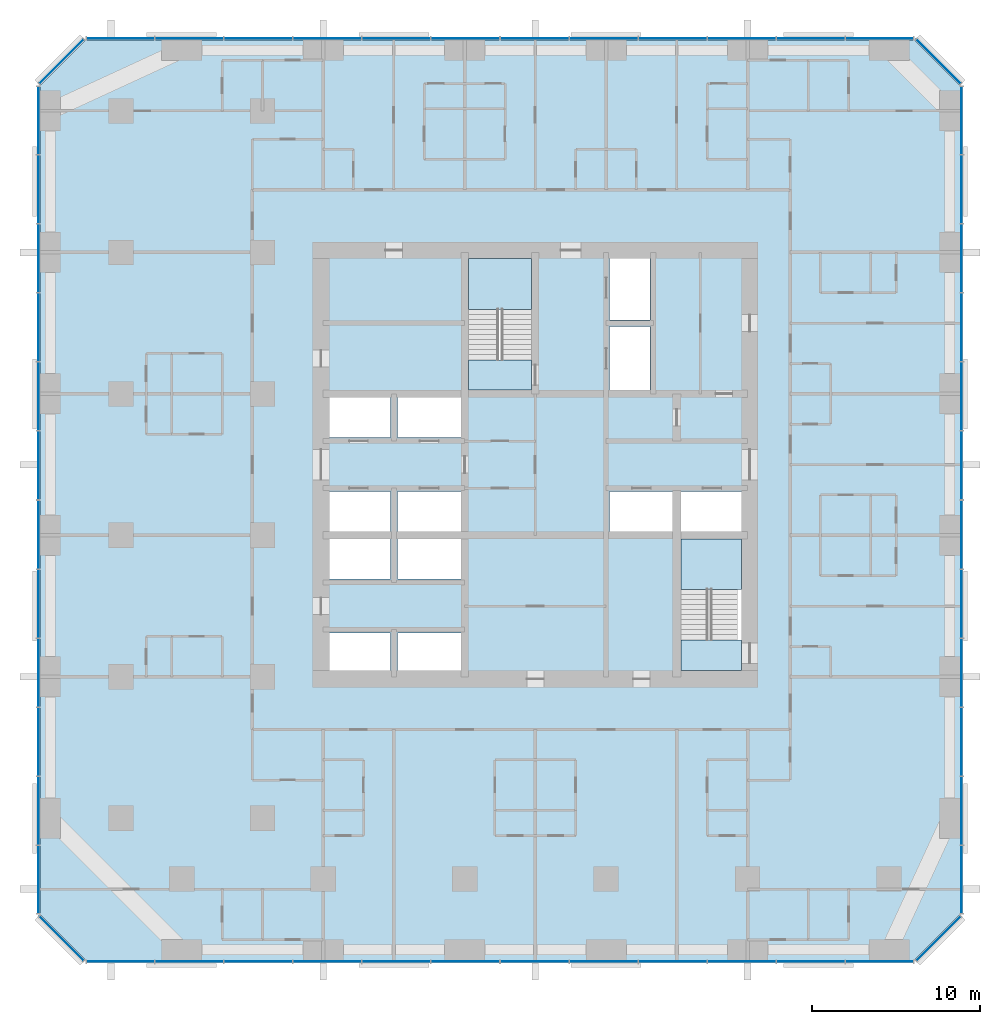
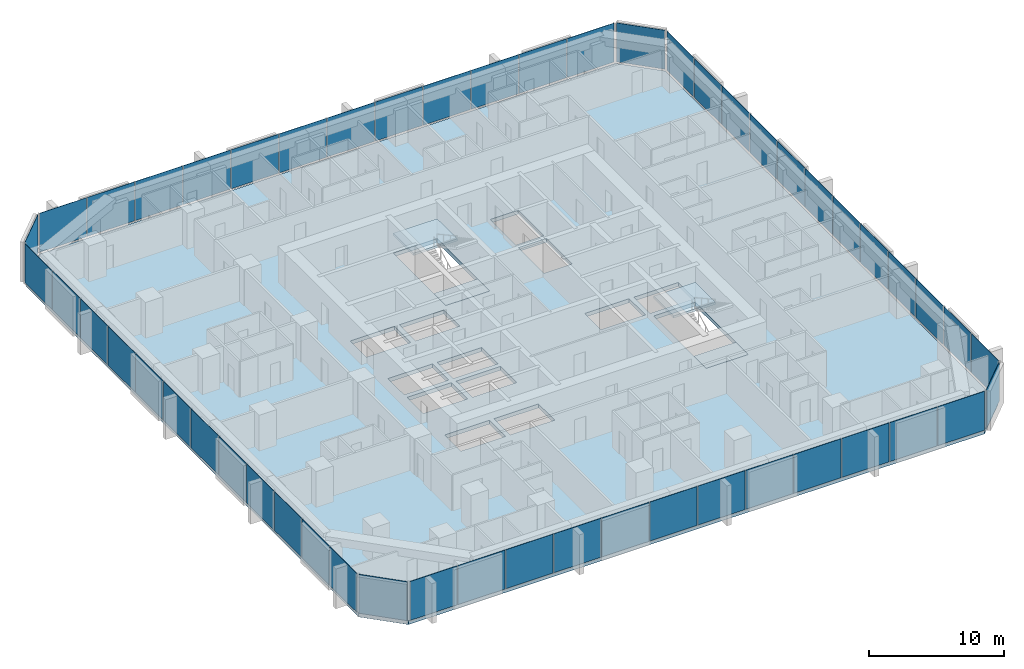
# One storey, part 7 of 14: 52 plates, 5 slabs, 10 elements without a shape of their own.
"""IFC4 building model written with IfcOpenShell, lengths in metres."""

from ifc_helpers import new_model, si_unit, direction, frame, origin, origin_2d, place, context, subcontext, project, spatial, polyline, rectangle, outline, extrude, material, layer, layer_set, type_object, element, aggregate, save


model = new_model("IFC4")

# Units and contexts
model_context = context("Model", 3, precision=1e-05, world=origin(), true_north=direction((0.0, 1.0)))
body_context = subcontext(model_context, "Body", "Model", "MODEL_VIEW")
ifc_project = project(units=[si_unit("LENGTHUNIT", "METRE"), si_unit("AREAUNIT", "SQUARE_METRE"), si_unit("VOLUMEUNIT", "CUBIC_METRE"), si_unit("PLANEANGLEUNIT", "RADIAN"), si_unit("MASSUNIT", "GRAM", prefix="KILO")], contexts=[model_context])

# Site, building, storey
site_placement = place(None, origin())
site = spatial("IfcSite", under=ifc_project, at=site_placement, CompositionType="ELEMENT")
building_placement = place(site_placement, origin())
building = spatial("IfcBuilding", under=site, at=building_placement, Name="Dunama Terrace Hotel", CompositionType="ELEMENT")
storey_placement = place(building_placement, frame((0.0, 0.0, 122.39990234375)))
storey = spatial("IfcBuildingStorey", under=building, at=storey_placement, Name="L31", CompositionType="ELEMENT", Elevation=122.39990234375)

# Curtain wall, plates
ifc_material_1 = material(Name="Aluminium curtain wall system", Category="aluminium")
curtain_wall_type = type_object("IfcCurtainWallType", Name="Unitised fritted glass wall CW-B", PredefinedType="NOTDEFINED", material=ifc_material_1)
curtain_wall_1_placement = place(storey_placement, origin())
curtain_wall_1 = element("IfcCurtainWall", 1, at=curtain_wall_1_placement, inside=storey, type_object=curtain_wall_type, Name="Unitised fritted glass wall CW-B L31", PredefinedType="NOTDEFINED")
ifc_material_2 = material(Name="Laminated glass", Category="glass")
ifc_layer_1 = layer(ifc_material_2, 0.030029296875)
ifc_layer_set_1 = layer_set([ifc_layer_1], Name="CWB clear glass panel")
plate_type_1 = type_object("IfcPlateType", Name="CWB clear glass panel", PredefinedType="CURTAIN_PANEL", material=ifc_layer_set_1)
plate_1_placement = place(storey_placement, frame((12.949951171875, -0.110107421875, 0.080078125), z_axis=(0.0, 0.0, 1.0), x_axis=(1.0, 0.0, 0.0)))
plate_1 = element("IfcPlate", 2, at=plate_1_placement, type_object=plate_type_1, Name="CWB clear glass panel", PredefinedType="CURTAIN_PANEL", context=body_context, shape_type="SweptSolid", body=[
    extrude(rectangle(XDim=4.034912109375, YDim=0.030029296875, at=origin_2d()), origin(), (0.0, 0.0, 1.0), 3.52001953125),
])
plate_2_placement = place(storey_placement, frame((25.25, -0.110107421875, 0.080078125), z_axis=(0.0, 0.0, 1.0), x_axis=(1.0, 0.0, 0.0)))
plate_2 = element("IfcPlate", 3, at=plate_2_placement, type_object=plate_type_1, Name="CWB clear glass panel", PredefinedType="CURTAIN_PANEL", context=body_context, shape_type="SweptSolid", body=[
    extrude(rectangle(XDim=4.034912109375, YDim=0.030029296875, at=origin_2d()), origin(), (0.0, 0.0, 1.0), 3.52001953125),
])
plate_3_placement = place(storey_placement, frame((37.550048828125, -0.110107421875, 0.080078125), z_axis=(0.0, 0.0, 1.0), x_axis=(1.0, 0.0, 0.0)))
plate_3 = element("IfcPlate", 4, at=plate_3_placement, type_object=plate_type_1, Name="CWB clear glass panel", PredefinedType="CURTAIN_PANEL", context=body_context, shape_type="SweptSolid", body=[
    extrude(rectangle(XDim=4.034912109375, YDim=0.030029296875, at=origin_2d()), origin(), (0.0, 0.0, 1.0), 3.52001953125),
])
plate_4_placement = place(storey_placement, frame((49.833984375, -0.110107421875, 0.080078125), z_axis=(0.0, 0.0, 1.0), x_axis=(1.0, 0.0, 0.0)))
plate_4 = element("IfcPlate", 5, at=plate_4_placement, type_object=plate_type_1, Name="CWB clear glass panel", PredefinedType="CURTAIN_PANEL", context=body_context, shape_type="SweptSolid", body=[
    extrude(rectangle(XDim=4.00244140625, YDim=0.030029296875, at=origin_2d()), origin(), (0.0, 0.0, 1.0), 3.52001953125),
])

curtain_wall_2_placement = place(storey_placement, origin())
curtain_wall_2 = element("IfcCurtainWall", 6, at=curtain_wall_2_placement, inside=storey, type_object=curtain_wall_type, Name="Unitised fritted glass wall CW-B L31", PredefinedType="NOTDEFINED")
plate_5_placement = place(storey_placement, frame((54.7099609375, 8.85009765625, 0.080078125), z_axis=(0.0, 0.0, 1.0), x_axis=(0.0, 1.0, 0.0)))
plate_5 = element("IfcPlate", 7, at=plate_5_placement, type_object=plate_type_1, Name="CWB clear glass panel", PredefinedType="CURTAIN_PANEL", context=body_context, shape_type="SweptSolid", body=[
    extrude(rectangle(XDim=4.034912109375, YDim=0.030029296875, at=origin_2d()), origin(), (0.0, 0.0, 1.0), 3.52001953125),
])
plate_6_placement = place(storey_placement, frame((54.7099609375, 21.14990234375, 0.080078125), z_axis=(0.0, 0.0, 1.0), x_axis=(0.0, 1.0, 0.0)))
plate_6 = element("IfcPlate", 8, at=plate_6_placement, type_object=plate_type_1, Name="CWB clear glass panel", PredefinedType="CURTAIN_PANEL", context=body_context, shape_type="SweptSolid", body=[
    extrude(rectangle(XDim=4.034912109375, YDim=0.030029296875, at=origin_2d()), origin(), (0.0, 0.0, 1.0), 3.52001953125),
])
plate_7_placement = place(storey_placement, frame((54.7099609375, 33.449951171875, 0.080078125), z_axis=(0.0, 0.0, 1.0), x_axis=(0.0, 1.0, 0.0)))
plate_7 = element("IfcPlate", 9, at=plate_7_placement, type_object=plate_type_1, Name="CWB clear glass panel", PredefinedType="CURTAIN_PANEL", context=body_context, shape_type="SweptSolid", body=[
    extrude(rectangle(XDim=4.034912109375, YDim=0.030029296875, at=origin_2d()), origin(), (0.0, 0.0, 1.0), 3.52001953125),
])
plate_8_placement = place(storey_placement, frame((54.7099609375, 45.75, 0.080078125), z_axis=(0.0, 0.0, 1.0), x_axis=(0.0, 1.0, 0.0)))
plate_8 = element("IfcPlate", 10, at=plate_8_placement, type_object=plate_type_1, Name="CWB clear glass panel", PredefinedType="CURTAIN_PANEL", context=body_context, shape_type="SweptSolid", body=[
    extrude(rectangle(XDim=4.034912109375, YDim=0.030029296875, at=origin_2d()), origin(), (0.0, 0.0, 1.0), 3.52001953125),
])

curtain_wall_3_placement = place(storey_placement, origin())
curtain_wall_3 = element("IfcCurtainWall", 11, at=curtain_wall_3_placement, inside=storey, type_object=curtain_wall_type, Name="Unitised fritted glass wall CW-B L31", PredefinedType="NOTDEFINED")
plate_9_placement = place(storey_placement, frame((49.833984375, 54.7099609375, 0.080078125), z_axis=(0.0, 0.0, 1.0), x_axis=(-1.0, 0.0, 0.0)))
plate_9 = element("IfcPlate", 12, at=plate_9_placement, type_object=plate_type_1, Name="CWB clear glass panel", PredefinedType="CURTAIN_PANEL", context=body_context, shape_type="SweptSolid", body=[
    extrude(rectangle(XDim=4.00244140625, YDim=0.030029296875, at=origin_2d()), origin(), (0.0, 0.0, 1.0), 3.52001953125),
])
plate_10_placement = place(storey_placement, frame((37.550048828125, 54.7099609375, 0.080078125), z_axis=(0.0, 0.0, 1.0), x_axis=(-1.0, 0.0, 0.0)))
plate_10 = element("IfcPlate", 13, at=plate_10_placement, type_object=plate_type_1, Name="CWB clear glass panel", PredefinedType="CURTAIN_PANEL", context=body_context, shape_type="SweptSolid", body=[
    extrude(rectangle(XDim=4.034912109375, YDim=0.030029296875, at=origin_2d()), origin(), (0.0, 0.0, 1.0), 3.52001953125),
])
plate_11_placement = place(storey_placement, frame((25.25, 54.7099609375, 0.080078125), z_axis=(0.0, 0.0, 1.0), x_axis=(-1.0, 0.0, 0.0)))
plate_11 = element("IfcPlate", 14, at=plate_11_placement, type_object=plate_type_1, Name="CWB clear glass panel", PredefinedType="CURTAIN_PANEL", context=body_context, shape_type="SweptSolid", body=[
    extrude(rectangle(XDim=4.034912109375, YDim=0.030029296875, at=origin_2d()), origin(), (0.0, 0.0, 1.0), 3.52001953125),
])
plate_12_placement = place(storey_placement, frame((12.949951171875, 54.7099609375, 0.080078125), z_axis=(0.0, 0.0, 1.0), x_axis=(-1.0, 0.0, 0.0)))
plate_12 = element("IfcPlate", 15, at=plate_12_placement, type_object=plate_type_1, Name="CWB clear glass panel", PredefinedType="CURTAIN_PANEL", context=body_context, shape_type="SweptSolid", body=[
    extrude(rectangle(XDim=4.034912109375, YDim=0.030029296875, at=origin_2d()), origin(), (0.0, 0.0, 1.0), 3.52001953125),
])

# Curtain wall, plate
curtain_wall_4_placement = place(storey_placement, origin())
curtain_wall_4 = element("IfcCurtainWall", 16, at=curtain_wall_4_placement, inside=storey, type_object=curtain_wall_type, Name="Unitised fritted glass wall CW-B L31", PredefinedType="NOTDEFINED")
plate_13_placement = place(storey_placement, frame((1.27197265625, 53.327880859375, 0.080078125), z_axis=(0.0, 0.0, 1.0), x_axis=(-0.707106781187, -0.707106781187, 0.0)))
plate_13 = element("IfcPlate", 17, at=plate_13_placement, type_object=plate_type_1, Name="CWB clear glass panel", PredefinedType="CURTAIN_PANEL", context=body_context, shape_type="SweptSolid", body=[
    extrude(rectangle(XDim=3.6884765625, YDim=0.030029296875, at=origin_2d()), origin(), (0.0, 0.0, 1.0), 3.52001953125),
])
aggregate(curtain_wall_4, [plate_13])

# Curtain wall, plates
curtain_wall_5_placement = place(storey_placement, origin())
curtain_wall_5 = element("IfcCurtainWall", 18, at=curtain_wall_5_placement, inside=storey, type_object=curtain_wall_type, Name="Unitised fritted glass wall CW-B L31", PredefinedType="NOTDEFINED")
plate_14_placement = place(storey_placement, frame((-0.110107421875, 41.64990234375, 0.080078125), z_axis=(0.0, 0.0, 1.0), x_axis=(0.0, -1.0, 0.0)))
plate_14 = element("IfcPlate", 19, at=plate_14_placement, type_object=plate_type_1, Name="CWB clear glass panel", PredefinedType="CURTAIN_PANEL", context=body_context, shape_type="SweptSolid", body=[
    extrude(rectangle(XDim=4.034912109375, YDim=0.030029296875, at=origin_2d()), origin(), (0.0, 0.0, 1.0), 3.52001953125),
])
plate_15_placement = place(storey_placement, frame((-0.110107421875, 29.35009765625, 0.080078125), z_axis=(0.0, 0.0, 1.0), x_axis=(0.0, -1.0, 0.0)))
plate_15 = element("IfcPlate", 20, at=plate_15_placement, type_object=plate_type_1, Name="CWB clear glass panel", PredefinedType="CURTAIN_PANEL", context=body_context, shape_type="SweptSolid", body=[
    extrude(rectangle(XDim=4.034912109375, YDim=0.030029296875, at=origin_2d()), origin(), (0.0, 0.0, 1.0), 3.52001953125),
])
plate_16_placement = place(storey_placement, frame((-0.110107421875, 17.050048828125, 0.080078125), z_axis=(0.0, 0.0, 1.0), x_axis=(0.0, -1.0, 0.0)))
plate_16 = element("IfcPlate", 21, at=plate_16_placement, type_object=plate_type_1, Name="CWB clear glass panel", PredefinedType="CURTAIN_PANEL", context=body_context, shape_type="SweptSolid", body=[
    extrude(rectangle(XDim=4.034912109375, YDim=0.030029296875, at=origin_2d()), origin(), (0.0, 0.0, 1.0), 3.52001953125),
])
plate_17_placement = place(storey_placement, frame((-0.110107421875, 4.76611328125, 0.080078125), z_axis=(0.0, 0.0, 1.0), x_axis=(0.0, -1.0, 0.0)))
plate_17 = element("IfcPlate", 22, at=plate_17_placement, type_object=plate_type_1, Name="CWB clear glass panel", PredefinedType="CURTAIN_PANEL", context=body_context, shape_type="SweptSolid", body=[
    extrude(rectangle(XDim=4.00244140625, YDim=0.030029296875, at=origin_2d()), origin(), (0.0, 0.0, 1.0), 3.52001953125),
])

# Plate
ifc_material_3 = material(Name="Fritted laminated glass", Category="glass")
ifc_layer_2 = layer(ifc_material_3, 0.030029296875)
ifc_layer_set_2 = layer_set([ifc_layer_2], Name="CWB fritted glass panel")
plate_type_2 = type_object("IfcPlateType", Name="CWB fritted glass panel", PredefinedType="CURTAIN_PANEL", material=ifc_layer_set_2)
plate_18_placement = place(storey_placement, frame((8.85009765625, -0.110107421875, 0.080078125), z_axis=(0.0, 0.0, 1.0), x_axis=(1.0, 0.0, 0.0)))
plate_18 = element("IfcPlate", 23, at=plate_18_placement, type_object=plate_type_2, Name="CWB fritted glass panel", PredefinedType="CURTAIN_PANEL", context=body_context, shape_type="SweptSolid", body=[
    extrude(rectangle(XDim=4.034912109375, YDim=0.030029296875, at=origin_2d()), origin(), (0.0, 0.0, 1.0), 3.52001953125),
])

plate_19_placement = place(storey_placement, frame((21.14990234375, -0.110107421875, 0.080078125), z_axis=(0.0, 0.0, 1.0), x_axis=(1.0, 0.0, 0.0)))
plate_19 = element("IfcPlate", 24, at=plate_19_placement, type_object=plate_type_2, Name="CWB fritted glass panel", PredefinedType="CURTAIN_PANEL", context=body_context, shape_type="SweptSolid", body=[
    extrude(rectangle(XDim=4.034912109375, YDim=0.030029296875, at=origin_2d()), origin(), (0.0, 0.0, 1.0), 3.52001953125),
])

plate_20_placement = place(storey_placement, frame((33.449951171875, -0.110107421875, 0.080078125), z_axis=(0.0, 0.0, 1.0), x_axis=(1.0, 0.0, 0.0)))
plate_20 = element("IfcPlate", 25, at=plate_20_placement, type_object=plate_type_2, Name="CWB fritted glass panel", PredefinedType="CURTAIN_PANEL", context=body_context, shape_type="SweptSolid", body=[
    extrude(rectangle(XDim=4.034912109375, YDim=0.030029296875, at=origin_2d()), origin(), (0.0, 0.0, 1.0), 3.52001953125),
])

plate_21_placement = place(storey_placement, frame((45.75, -0.110107421875, 0.080078125), z_axis=(0.0, 0.0, 1.0), x_axis=(1.0, 0.0, 0.0)))
plate_21 = element("IfcPlate", 26, at=plate_21_placement, type_object=plate_type_2, Name="CWB fritted glass panel", PredefinedType="CURTAIN_PANEL", context=body_context, shape_type="SweptSolid", body=[
    extrude(rectangle(XDim=4.034912109375, YDim=0.030029296875, at=origin_2d()), origin(), (0.0, 0.0, 1.0), 3.52001953125),
])

plate_22_placement = place(storey_placement, frame((54.7099609375, 4.76611328125, 0.080078125), z_axis=(0.0, 0.0, 1.0), x_axis=(0.0, 1.0, 0.0)))
plate_22 = element("IfcPlate", 27, at=plate_22_placement, type_object=plate_type_2, Name="CWB fritted glass panel", PredefinedType="CURTAIN_PANEL", context=body_context, shape_type="SweptSolid", body=[
    extrude(rectangle(XDim=4.00244140625, YDim=0.030029296875, at=origin_2d()), origin(), (0.0, 0.0, 1.0), 3.52001953125),
])

plate_23_placement = place(storey_placement, frame((54.7099609375, 17.050048828125, 0.080078125), z_axis=(0.0, 0.0, 1.0), x_axis=(0.0, 1.0, 0.0)))
plate_23 = element("IfcPlate", 28, at=plate_23_placement, type_object=plate_type_2, Name="CWB fritted glass panel", PredefinedType="CURTAIN_PANEL", context=body_context, shape_type="SweptSolid", body=[
    extrude(rectangle(XDim=4.034912109375, YDim=0.030029296875, at=origin_2d()), origin(), (0.0, 0.0, 1.0), 3.52001953125),
])

plate_24_placement = place(storey_placement, frame((54.7099609375, 29.35009765625, 0.080078125), z_axis=(0.0, 0.0, 1.0), x_axis=(0.0, 1.0, 0.0)))
plate_24 = element("IfcPlate", 29, at=plate_24_placement, type_object=plate_type_2, Name="CWB fritted glass panel", PredefinedType="CURTAIN_PANEL", context=body_context, shape_type="SweptSolid", body=[
    extrude(rectangle(XDim=4.034912109375, YDim=0.030029296875, at=origin_2d()), origin(), (0.0, 0.0, 1.0), 3.52001953125),
])

plate_25_placement = place(storey_placement, frame((54.7099609375, 41.64990234375, 0.080078125), z_axis=(0.0, 0.0, 1.0), x_axis=(0.0, 1.0, 0.0)))
plate_25 = element("IfcPlate", 30, at=plate_25_placement, type_object=plate_type_2, Name="CWB fritted glass panel", PredefinedType="CURTAIN_PANEL", context=body_context, shape_type="SweptSolid", body=[
    extrude(rectangle(XDim=4.034912109375, YDim=0.030029296875, at=origin_2d()), origin(), (0.0, 0.0, 1.0), 3.52001953125),
])

# Curtain wall, plate
curtain_wall_6_placement = place(storey_placement, origin())
curtain_wall_6 = element("IfcCurtainWall", 31, at=curtain_wall_6_placement, inside=storey, type_object=curtain_wall_type, Name="Unitised fritted glass wall CW-B L31", PredefinedType="NOTDEFINED")
plate_26_placement = place(storey_placement, frame((53.327880859375, 53.327880859375, 0.080078125), z_axis=(0.0, 0.0, 1.0), x_axis=(-0.707106781187, 0.707106781187, 0.0)))
plate_26 = element("IfcPlate", 32, at=plate_26_placement, type_object=plate_type_2, Name="CWB fritted glass panel", PredefinedType="CURTAIN_PANEL", context=body_context, shape_type="SweptSolid", body=[
    extrude(rectangle(XDim=3.6884765625, YDim=0.030029296875, at=origin_2d()), origin(), (0.0, 0.0, 1.0), 3.52001953125),
])
aggregate(curtain_wall_6, [plate_26])

# Plate
plate_27_placement = place(storey_placement, frame((41.64990234375, 54.7099609375, 0.080078125), z_axis=(0.0, 0.0, 1.0), x_axis=(-1.0, 0.0, 0.0)))
plate_27 = element("IfcPlate", 33, at=plate_27_placement, type_object=plate_type_2, Name="CWB fritted glass panel", PredefinedType="CURTAIN_PANEL", context=body_context, shape_type="SweptSolid", body=[
    extrude(rectangle(XDim=4.034912109375, YDim=0.030029296875, at=origin_2d()), origin(), (0.0, 0.0, 1.0), 3.52001953125),
])

plate_28_placement = place(storey_placement, frame((29.35009765625, 54.7099609375, 0.080078125), z_axis=(0.0, 0.0, 1.0), x_axis=(-1.0, 0.0, 0.0)))
plate_28 = element("IfcPlate", 34, at=plate_28_placement, type_object=plate_type_2, Name="CWB fritted glass panel", PredefinedType="CURTAIN_PANEL", context=body_context, shape_type="SweptSolid", body=[
    extrude(rectangle(XDim=4.034912109375, YDim=0.030029296875, at=origin_2d()), origin(), (0.0, 0.0, 1.0), 3.52001953125),
])

plate_29_placement = place(storey_placement, frame((17.050048828125, 54.7099609375, 0.080078125), z_axis=(0.0, 0.0, 1.0), x_axis=(-1.0, 0.0, 0.0)))
plate_29 = element("IfcPlate", 35, at=plate_29_placement, type_object=plate_type_2, Name="CWB fritted glass panel", PredefinedType="CURTAIN_PANEL", context=body_context, shape_type="SweptSolid", body=[
    extrude(rectangle(XDim=4.034912109375, YDim=0.030029296875, at=origin_2d()), origin(), (0.0, 0.0, 1.0), 3.52001953125),
])

plate_30_placement = place(storey_placement, frame((4.76611328125, 54.7099609375, 0.080078125), z_axis=(0.0, 0.0, 1.0), x_axis=(-1.0, 0.0, 0.0)))
plate_30 = element("IfcPlate", 36, at=plate_30_placement, type_object=plate_type_2, Name="CWB fritted glass panel", PredefinedType="CURTAIN_PANEL", context=body_context, shape_type="SweptSolid", body=[
    extrude(rectangle(XDim=4.00244140625, YDim=0.030029296875, at=origin_2d()), origin(), (0.0, 0.0, 1.0), 3.52001953125),
])

plate_31_placement = place(storey_placement, frame((-0.110107421875, 45.75, 0.080078125), z_axis=(0.0, 0.0, 1.0), x_axis=(0.0, -1.0, 0.0)))
plate_31 = element("IfcPlate", 37, at=plate_31_placement, type_object=plate_type_2, Name="CWB fritted glass panel", PredefinedType="CURTAIN_PANEL", context=body_context, shape_type="SweptSolid", body=[
    extrude(rectangle(XDim=4.034912109375, YDim=0.030029296875, at=origin_2d()), origin(), (0.0, 0.0, 1.0), 3.52001953125),
])

plate_32_placement = place(storey_placement, frame((-0.110107421875, 33.449951171875, 0.080078125), z_axis=(0.0, 0.0, 1.0), x_axis=(0.0, -1.0, 0.0)))
plate_32 = element("IfcPlate", 38, at=plate_32_placement, type_object=plate_type_2, Name="CWB fritted glass panel", PredefinedType="CURTAIN_PANEL", context=body_context, shape_type="SweptSolid", body=[
    extrude(rectangle(XDim=4.034912109375, YDim=0.030029296875, at=origin_2d()), origin(), (0.0, 0.0, 1.0), 3.52001953125),
])

plate_33_placement = place(storey_placement, frame((-0.110107421875, 21.14990234375, 0.080078125), z_axis=(0.0, 0.0, 1.0), x_axis=(0.0, -1.0, 0.0)))
plate_33 = element("IfcPlate", 39, at=plate_33_placement, type_object=plate_type_2, Name="CWB fritted glass panel", PredefinedType="CURTAIN_PANEL", context=body_context, shape_type="SweptSolid", body=[
    extrude(rectangle(XDim=4.034912109375, YDim=0.030029296875, at=origin_2d()), origin(), (0.0, 0.0, 1.0), 3.52001953125),
])

plate_34_placement = place(storey_placement, frame((-0.110107421875, 8.85009765625, 0.080078125), z_axis=(0.0, 0.0, 1.0), x_axis=(0.0, -1.0, 0.0)))
plate_34 = element("IfcPlate", 40, at=plate_34_placement, type_object=plate_type_2, Name="CWB fritted glass panel", PredefinedType="CURTAIN_PANEL", context=body_context, shape_type="SweptSolid", body=[
    extrude(rectangle(XDim=4.034912109375, YDim=0.030029296875, at=origin_2d()), origin(), (0.0, 0.0, 1.0), 3.52001953125),
])

ifc_material_4 = material(Name="Laminated glass", Category="glass")
ifc_layer_3 = layer(ifc_material_4, 0.030029296875)
ifc_layer_set_3 = layer_set([ifc_layer_3], Name="CWB operable glass panel")
plate_type_3 = type_object("IfcPlateType", Name="CWB operable glass panel", PredefinedType="CURTAIN_PANEL", material=ifc_layer_set_3)
plate_35_placement = place(storey_placement, frame((4.76611328125, -0.110107421875, 0.080078125), z_axis=(0.0, 0.0, 1.0), x_axis=(1.0, 0.0, 0.0)))
plate_35 = element("IfcPlate", 41, at=plate_35_placement, type_object=plate_type_3, Name="CWB operable glass panel", PredefinedType="CURTAIN_PANEL", context=body_context, shape_type="SweptSolid", body=[
    extrude(rectangle(XDim=4.00244140625, YDim=0.030029296875, at=origin_2d()), origin(), (0.0, 0.0, 1.0), 3.52001953125),
])

plate_36_placement = place(storey_placement, frame((17.050048828125, -0.110107421875, 0.080078125), z_axis=(0.0, 0.0, 1.0), x_axis=(1.0, 0.0, 0.0)))
plate_36 = element("IfcPlate", 42, at=plate_36_placement, type_object=plate_type_3, Name="CWB operable glass panel", PredefinedType="CURTAIN_PANEL", context=body_context, shape_type="SweptSolid", body=[
    extrude(rectangle(XDim=4.034912109375, YDim=0.030029296875, at=origin_2d()), origin(), (0.0, 0.0, 1.0), 3.52001953125),
])

plate_37_placement = place(storey_placement, frame((29.35009765625, -0.110107421875, 0.080078125), z_axis=(0.0, 0.0, 1.0), x_axis=(1.0, 0.0, 0.0)))
plate_37 = element("IfcPlate", 43, at=plate_37_placement, type_object=plate_type_3, Name="CWB operable glass panel", PredefinedType="CURTAIN_PANEL", context=body_context, shape_type="SweptSolid", body=[
    extrude(rectangle(XDim=4.034912109375, YDim=0.030029296875, at=origin_2d()), origin(), (0.0, 0.0, 1.0), 3.52001953125),
])

plate_38_placement = place(storey_placement, frame((41.64990234375, -0.110107421875, 0.080078125), z_axis=(0.0, 0.0, 1.0), x_axis=(1.0, 0.0, 0.0)))
plate_38 = element("IfcPlate", 44, at=plate_38_placement, type_object=plate_type_3, Name="CWB operable glass panel", PredefinedType="CURTAIN_PANEL", context=body_context, shape_type="SweptSolid", body=[
    extrude(rectangle(XDim=4.034912109375, YDim=0.030029296875, at=origin_2d()), origin(), (0.0, 0.0, 1.0), 3.52001953125),
])

aggregate(curtain_wall_1, [plate_35, plate_18, plate_1, plate_36, plate_19, plate_2, plate_37, plate_20, plate_3, plate_38, plate_21, plate_4])

# Curtain wall, plate
curtain_wall_7_placement = place(storey_placement, origin())
curtain_wall_7 = element("IfcCurtainWall", 45, at=curtain_wall_7_placement, inside=storey, type_object=curtain_wall_type, Name="Unitised fritted glass wall CW-B L31", PredefinedType="NOTDEFINED")
plate_39_placement = place(storey_placement, frame((53.327880859375, 1.27197265625, 0.080078125), z_axis=(0.0, 0.0, 1.0), x_axis=(0.707106781187, 0.707106781187, 0.0)))
plate_39 = element("IfcPlate", 46, at=plate_39_placement, type_object=plate_type_3, Name="CWB operable glass panel", PredefinedType="CURTAIN_PANEL", context=body_context, shape_type="SweptSolid", body=[
    extrude(rectangle(XDim=3.6884765625, YDim=0.030029296875, at=origin_2d()), origin(), (0.0, 0.0, 1.0), 3.52001953125),
])
aggregate(curtain_wall_7, [plate_39])

# Plate
plate_40_placement = place(storey_placement, frame((54.7099609375, 12.949951171875, 0.080078125), z_axis=(0.0, 0.0, 1.0), x_axis=(0.0, 1.0, 0.0)))
plate_40 = element("IfcPlate", 47, at=plate_40_placement, type_object=plate_type_3, Name="CWB operable glass panel", PredefinedType="CURTAIN_PANEL", context=body_context, shape_type="SweptSolid", body=[
    extrude(rectangle(XDim=4.034912109375, YDim=0.030029296875, at=origin_2d()), origin(), (0.0, 0.0, 1.0), 3.52001953125),
])

plate_41_placement = place(storey_placement, frame((54.7099609375, 25.25, 0.080078125), z_axis=(0.0, 0.0, 1.0), x_axis=(0.0, 1.0, 0.0)))
plate_41 = element("IfcPlate", 48, at=plate_41_placement, type_object=plate_type_3, Name="CWB operable glass panel", PredefinedType="CURTAIN_PANEL", context=body_context, shape_type="SweptSolid", body=[
    extrude(rectangle(XDim=4.034912109375, YDim=0.030029296875, at=origin_2d()), origin(), (0.0, 0.0, 1.0), 3.52001953125),
])

plate_42_placement = place(storey_placement, frame((54.7099609375, 37.550048828125, 0.080078125), z_axis=(0.0, 0.0, 1.0), x_axis=(0.0, 1.0, 0.0)))
plate_42 = element("IfcPlate", 49, at=plate_42_placement, type_object=plate_type_3, Name="CWB operable glass panel", PredefinedType="CURTAIN_PANEL", context=body_context, shape_type="SweptSolid", body=[
    extrude(rectangle(XDim=4.034912109375, YDim=0.030029296875, at=origin_2d()), origin(), (0.0, 0.0, 1.0), 3.52001953125),
])

plate_43_placement = place(storey_placement, frame((54.7099609375, 49.833984375, 0.080078125), z_axis=(0.0, 0.0, 1.0), x_axis=(0.0, 1.0, 0.0)))
plate_43 = element("IfcPlate", 50, at=plate_43_placement, type_object=plate_type_3, Name="CWB operable glass panel", PredefinedType="CURTAIN_PANEL", context=body_context, shape_type="SweptSolid", body=[
    extrude(rectangle(XDim=4.00244140625, YDim=0.030029296875, at=origin_2d()), origin(), (0.0, 0.0, 1.0), 3.52001953125),
])

aggregate(curtain_wall_2, [plate_22, plate_5, plate_40, plate_23, plate_6, plate_41, plate_24, plate_7, plate_42, plate_25, plate_8, plate_43])

plate_44_placement = place(storey_placement, frame((45.75, 54.7099609375, 0.080078125), z_axis=(0.0, 0.0, 1.0), x_axis=(-1.0, 0.0, 0.0)))
plate_44 = element("IfcPlate", 51, at=plate_44_placement, type_object=plate_type_3, Name="CWB operable glass panel", PredefinedType="CURTAIN_PANEL", context=body_context, shape_type="SweptSolid", body=[
    extrude(rectangle(XDim=4.034912109375, YDim=0.030029296875, at=origin_2d()), origin(), (0.0, 0.0, 1.0), 3.52001953125),
])

plate_45_placement = place(storey_placement, frame((33.449951171875, 54.7099609375, 0.080078125), z_axis=(0.0, 0.0, 1.0), x_axis=(-1.0, 0.0, 0.0)))
plate_45 = element("IfcPlate", 52, at=plate_45_placement, type_object=plate_type_3, Name="CWB operable glass panel", PredefinedType="CURTAIN_PANEL", context=body_context, shape_type="SweptSolid", body=[
    extrude(rectangle(XDim=4.034912109375, YDim=0.030029296875, at=origin_2d()), origin(), (0.0, 0.0, 1.0), 3.52001953125),
])

plate_46_placement = place(storey_placement, frame((21.14990234375, 54.7099609375, 0.080078125), z_axis=(0.0, 0.0, 1.0), x_axis=(-1.0, 0.0, 0.0)))
plate_46 = element("IfcPlate", 53, at=plate_46_placement, type_object=plate_type_3, Name="CWB operable glass panel", PredefinedType="CURTAIN_PANEL", context=body_context, shape_type="SweptSolid", body=[
    extrude(rectangle(XDim=4.034912109375, YDim=0.030029296875, at=origin_2d()), origin(), (0.0, 0.0, 1.0), 3.52001953125),
])

plate_47_placement = place(storey_placement, frame((8.85009765625, 54.7099609375, 0.080078125), z_axis=(0.0, 0.0, 1.0), x_axis=(-1.0, 0.0, 0.0)))
plate_47 = element("IfcPlate", 54, at=plate_47_placement, type_object=plate_type_3, Name="CWB operable glass panel", PredefinedType="CURTAIN_PANEL", context=body_context, shape_type="SweptSolid", body=[
    extrude(rectangle(XDim=4.034912109375, YDim=0.030029296875, at=origin_2d()), origin(), (0.0, 0.0, 1.0), 3.52001953125),
])

aggregate(curtain_wall_3, [plate_9, plate_44, plate_27, plate_10, plate_45, plate_28, plate_11, plate_46, plate_29, plate_12, plate_47, plate_30])

plate_48_placement = place(storey_placement, frame((-0.110107421875, 49.833984375, 0.080078125), z_axis=(0.0, 0.0, 1.0), x_axis=(0.0, -1.0, 0.0)))
plate_48 = element("IfcPlate", 55, at=plate_48_placement, type_object=plate_type_3, Name="CWB operable glass panel", PredefinedType="CURTAIN_PANEL", context=body_context, shape_type="SweptSolid", body=[
    extrude(rectangle(XDim=4.00244140625, YDim=0.030029296875, at=origin_2d()), origin(), (0.0, 0.0, 1.0), 3.52001953125),
])

plate_49_placement = place(storey_placement, frame((-0.110107421875, 37.550048828125, 0.080078125), z_axis=(0.0, 0.0, 1.0), x_axis=(0.0, -1.0, 0.0)))
plate_49 = element("IfcPlate", 56, at=plate_49_placement, type_object=plate_type_3, Name="CWB operable glass panel", PredefinedType="CURTAIN_PANEL", context=body_context, shape_type="SweptSolid", body=[
    extrude(rectangle(XDim=4.034912109375, YDim=0.030029296875, at=origin_2d()), origin(), (0.0, 0.0, 1.0), 3.52001953125),
])

plate_50_placement = place(storey_placement, frame((-0.110107421875, 25.25, 0.080078125), z_axis=(0.0, 0.0, 1.0), x_axis=(0.0, -1.0, 0.0)))
plate_50 = element("IfcPlate", 57, at=plate_50_placement, type_object=plate_type_3, Name="CWB operable glass panel", PredefinedType="CURTAIN_PANEL", context=body_context, shape_type="SweptSolid", body=[
    extrude(rectangle(XDim=4.034912109375, YDim=0.030029296875, at=origin_2d()), origin(), (0.0, 0.0, 1.0), 3.52001953125),
])

plate_51_placement = place(storey_placement, frame((-0.110107421875, 12.949951171875, 0.080078125), z_axis=(0.0, 0.0, 1.0), x_axis=(0.0, -1.0, 0.0)))
plate_51 = element("IfcPlate", 58, at=plate_51_placement, type_object=plate_type_3, Name="CWB operable glass panel", PredefinedType="CURTAIN_PANEL", context=body_context, shape_type="SweptSolid", body=[
    extrude(rectangle(XDim=4.034912109375, YDim=0.030029296875, at=origin_2d()), origin(), (0.0, 0.0, 1.0), 3.52001953125),
])

aggregate(curtain_wall_5, [plate_48, plate_31, plate_14, plate_49, plate_32, plate_15, plate_50, plate_33, plate_16, plate_51, plate_34, plate_17])

# Curtain wall, plate
curtain_wall_8_placement = place(storey_placement, origin())
curtain_wall_8 = element("IfcCurtainWall", 59, at=curtain_wall_8_placement, inside=storey, type_object=curtain_wall_type, Name="Unitised fritted glass wall CW-B L31", PredefinedType="NOTDEFINED")
plate_52_placement = place(storey_placement, frame((1.27197265625, 1.27197265625, 0.080078125), z_axis=(0.0, 0.0, 1.0), x_axis=(0.707106781187, -0.707106781187, 0.0)))
plate_52 = element("IfcPlate", 60, at=plate_52_placement, type_object=plate_type_3, Name="CWB operable glass panel", PredefinedType="CURTAIN_PANEL", context=body_context, shape_type="SweptSolid", body=[
    extrude(rectangle(XDim=3.6884765625, YDim=0.030029296875, at=origin_2d()), origin(), (0.0, 0.0, 1.0), 3.52001953125),
])
aggregate(curtain_wall_8, [plate_52])

# Slab
ifc_material_5 = material(Name="Concrete C40/50", Category="concrete")
ifc_layer_4 = layer(ifc_material_5, 0.35009765625)
ifc_layer_set_4 = layer_set([ifc_layer_4], Name="Flat plate 350")
slab_type_1 = type_object("IfcSlabType", Name="Flat plate 350", PredefinedType="FLOOR", material=ifc_layer_set_4)
slab_1_placement = place(storey_placement, frame((0.0, 0.0, -0.349853515625)))
element("IfcSlab", 61, at=slab_1_placement, inside=storey, type_object=slab_type_1, Name="Floor slab L31", PredefinedType="FLOOR", context=body_context, shape_type="SweptSolid", body=[
    extrude(outline(polyline([(2.699951171875, 0.0), (51.89990234375, 0.0), (54.60009765625, 2.699951171875), (54.60009765625, 51.89990234375), (51.89990234375, 54.60009765625), (2.699951171875, 54.60009765625), (0.0, 51.89990234375), (0.0, 2.699951171875), (2.699951171875, 0.0)]), holes=[polyline([(37.60009765625, 25.39990234375), (37.60009765625, 27.800048828125), (33.800048828125, 27.800048828125), (33.800048828125, 25.39990234375), (37.60009765625, 25.39990234375)]), polyline([(41.800048828125, 25.39990234375), (41.800048828125, 27.800048828125), (38.0, 27.800048828125), (38.0, 25.39990234375), (41.800048828125, 25.39990234375)]), polyline([(20.800048828125, 17.0), (20.800048828125, 19.39990234375), (17.0, 19.39990234375), (17.0, 17.0), (20.800048828125, 17.0)]), polyline([(25.0, 17.0), (25.0, 19.39990234375), (21.199951171875, 19.39990234375), (21.199951171875, 17.0), (25.0, 17.0)]), polyline([(20.800048828125, 22.60009765625), (20.800048828125, 25.0), (17.0, 25.0), (17.0, 22.60009765625), (20.800048828125, 22.60009765625)]), polyline([(25.0, 22.60009765625), (25.0, 25.0), (21.199951171875, 25.0), (21.199951171875, 22.60009765625), (25.0, 22.60009765625)]), polyline([(20.800048828125, 25.39990234375), (20.800048828125, 27.800048828125), (17.0, 27.800048828125), (17.0, 25.39990234375), (20.800048828125, 25.39990234375)]), polyline([(25.0, 25.39990234375), (25.0, 27.800048828125), (21.199951171875, 27.800048828125), (21.199951171875, 25.39990234375), (25.0, 25.39990234375)]), polyline([(20.800048828125, 31.0), (20.800048828125, 33.39990234375), (17.0, 33.39990234375), (17.0, 31.0), (20.800048828125, 31.0)]), polyline([(25.0, 31.0), (25.0, 33.39990234375), (21.199951171875, 33.39990234375), (21.199951171875, 31.0), (25.0, 31.0)]), polyline([(36.199951171875, 38.0), (36.199951171875, 41.800048828125), (33.800048828125, 41.800048828125), (33.800048828125, 38.0), (36.199951171875, 38.0)]), polyline([(36.199951171875, 33.800048828125), (36.199951171875, 37.60009765625), (33.800048828125, 37.60009765625), (33.800048828125, 33.800048828125), (36.199951171875, 33.800048828125)]), polyline([(29.175048828125, 33.824951171875), (29.175048828125, 41.625), (25.425048828125, 41.625), (25.425048828125, 33.824951171875), (29.175048828125, 33.824951171875)]), polyline([(41.625, 17.175048828125), (41.625, 24.97509765625), (38.050048828125, 24.97509765625), (38.050048828125, 17.175048828125), (41.625, 17.175048828125)])]), origin(), (0.0, 0.0, 1.0), 0.349853515625),
])

# Stair, slabs
ifc_material_6 = material(Name="Concrete C40/50", Category="concrete")
stair_type_1 = type_object("IfcStairType", Name="Stair ST1-3600-1800", PredefinedType="HALF_TURN_STAIR", material=ifc_material_6)
stair_1_placement = place(storey_placement, origin())
stair_1 = element("IfcStair", 62, at=stair_1_placement, inside=storey, type_object=stair_type_1, Name="Stair ST1 L31", PredefinedType="HALF_TURN_STAIR")
ifc_material_7 = material(Name="Concrete C40/50", Category="concrete")
ifc_layer_5 = layer(ifc_material_7, 0.199951171875)
ifc_layer_set_5 = layer_set([ifc_layer_5], Name="Stair landing 200")
slab_type_2 = type_object("IfcSlabType", Name="Stair landing 200", PredefinedType="LANDING", material=ifc_layer_set_5)
slab_2_placement = place(storey_placement, frame((0.0, 0.0, -0.199951171875)))
slab_2 = element("IfcSlab", 63, at=slab_2_placement, type_object=slab_type_2, Name="ST1 landing 1, type S10", PredefinedType="LANDING", context=body_context, shape_type="SweptSolid", body=[
    extrude(outline(polyline([(25.425048828125, 33.824951171875), (29.175048828125, 33.824951171875), (29.175048828125, 35.625), (25.425048828125, 35.625), (25.425048828125, 33.824951171875)])), origin(), (0.0, 0.0, 1.0), 0.199951171875),
])
slab_3_placement = place(storey_placement, frame((0.0, 0.0, 1.60009765625)))
slab_3 = element("IfcSlab", 64, at=slab_3_placement, type_object=slab_type_2, Name="ST1 landing 2, type S10", PredefinedType="LANDING", context=body_context, shape_type="SweptSolid", body=[
    extrude(outline(polyline([(25.425048828125, 38.625), (29.175048828125, 38.625), (29.175048828125, 41.625), (25.425048828125, 41.625), (25.425048828125, 38.625)])), origin(), (0.0, 0.0, 1.0), 0.199951171875),
])
aggregate(stair_1, [slab_2, slab_3])

ifc_material_8 = material(Name="Concrete C40/50", Category="concrete")
stair_type_2 = type_object("IfcStairType", Name="Stair ST2-3600-1600", PredefinedType="HALF_TURN_STAIR", material=ifc_material_8)
stair_2_placement = place(storey_placement, origin())
stair_2 = element("IfcStair", 65, at=stair_2_placement, inside=storey, type_object=stair_type_2, Name="Stair ST2 L31", PredefinedType="HALF_TURN_STAIR")
slab_4_placement = place(storey_placement, frame((0.0, 0.0, -0.199951171875)))
slab_4 = element("IfcSlab", 66, at=slab_4_placement, type_object=slab_type_2, Name="ST2 landing 1, type S10", PredefinedType="LANDING", context=body_context, shape_type="SweptSolid", body=[
    extrude(outline(polyline([(38.050048828125, 17.175048828125), (41.625, 17.175048828125), (41.625, 19.0), (38.050048828125, 19.0), (38.050048828125, 17.175048828125)])), origin(), (0.0, 0.0, 1.0), 0.199951171875),
])
slab_5_placement = place(storey_placement, frame((0.0, 0.0, 1.60009765625)))
slab_5 = element("IfcSlab", 67, at=slab_5_placement, type_object=slab_type_2, Name="ST2 landing 2, type S10", PredefinedType="LANDING", context=body_context, shape_type="SweptSolid", body=[
    extrude(outline(polyline([(38.050048828125, 22.0), (41.625, 22.0), (41.625, 24.97509765625), (38.050048828125, 24.97509765625), (38.050048828125, 22.0)])), origin(), (0.0, 0.0, 1.0), 0.199951171875),
])
aggregate(stair_2, [slab_4, slab_5])

save(model, "model.ifc")
